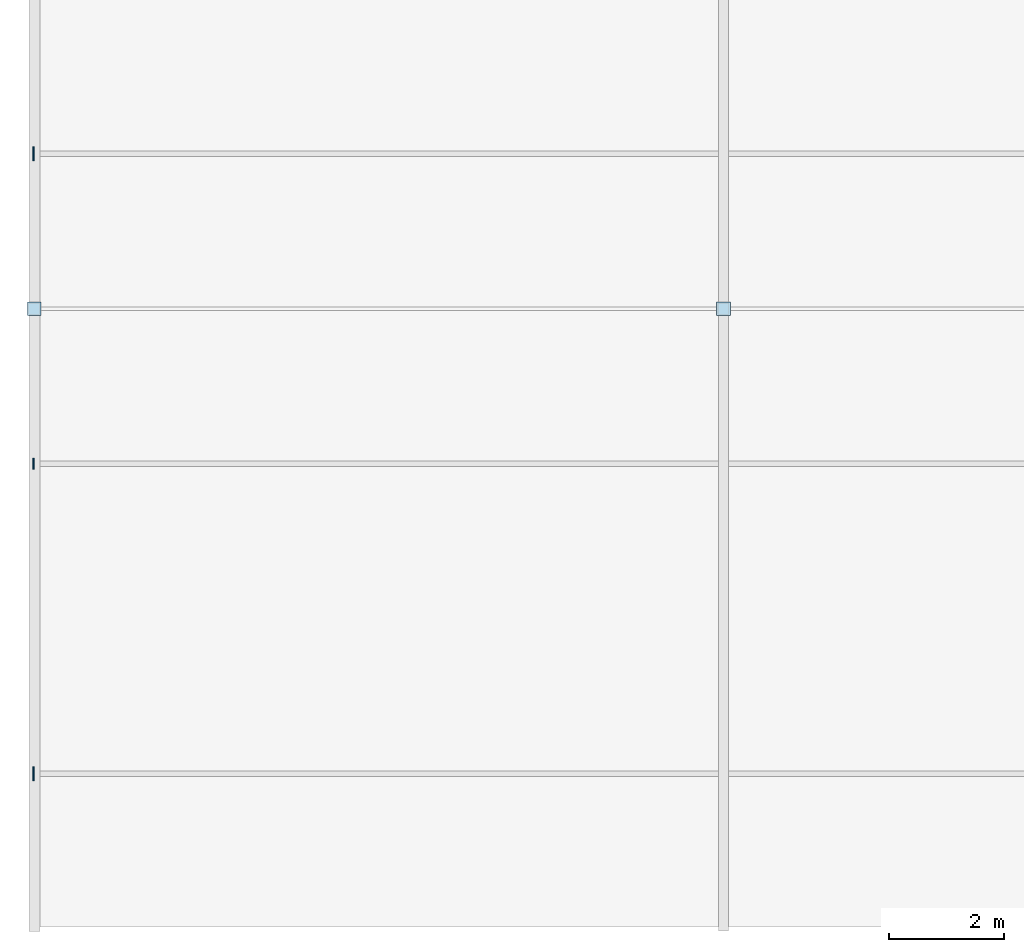
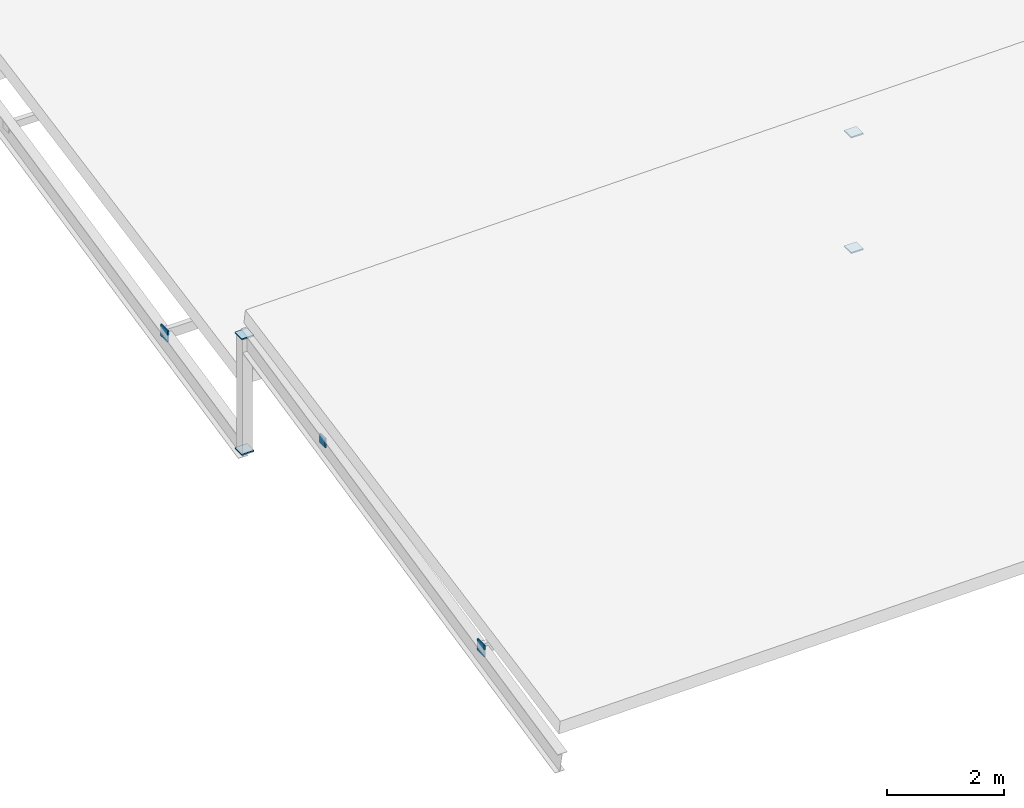
# One storey, part 153 of 226: 7 plates.
"""IFC4 building model written with IfcOpenShell, lengths in metres."""

from ifc_helpers import new_model, si_unit, direction, frame, origin, origin_2d, place, context, subcontext, project, spatial, rectangle, extrude, material, layer, layer_set, type_object, element, save


model = new_model("IFC4")

# Units and contexts
model_context = context("Model", 3, precision=1e-05, world=origin(), true_north=direction((0.0, 1.0)))
body_context = subcontext(model_context, "Body", "Model", "MODEL_VIEW")
ifc_project = project(units=[si_unit("LENGTHUNIT", "METRE"), si_unit("AREAUNIT", "SQUARE_METRE"), si_unit("VOLUMEUNIT", "CUBIC_METRE"), si_unit("PLANEANGLEUNIT", "RADIAN"), si_unit("MASSUNIT", "GRAM", prefix="KILO")], contexts=[model_context])

# Site, building, storey
site_placement = place(None, origin())
site = spatial("IfcSite", under=ifc_project, at=site_placement, CompositionType="ELEMENT")
building_placement = place(site_placement, origin())
building = spatial("IfcBuilding", under=site, at=building_placement, Name="Tarnwether General Hospital", CompositionType="ELEMENT")
storey_placement = place(building_placement, frame((0.0, 0.0, 4.800048828125)))
storey = spatial("IfcBuildingStorey", under=building, at=storey_placement, Name="L01", CompositionType="ELEMENT", Elevation=4.800048828125)

# Plates
ifc_material = material(Name="Steel Grade 350 (350 MPa)", Category="steel")
ifc_layer = layer(ifc_material, 0.02490234375)
ifc_layer_set = layer_set([ifc_layer], Name="Steel Grade 350 (350 MPa)")
plate_type = type_object("IfcPlateType", Name="PT-GUS2", PredefinedType="USERDEFINED", material=ifc_layer_set)
for number, where, z_axis, x_axis, name in (
    (1, (0.0, 10.800048828125, -0.405029296875), (0.0, 0.0, 1.0), (1.0, 0.0, 0.0), "Hollow Section Welded End Cap Plate 1393"),
    (2, (0.0, 10.800048828125, 2.0), (0.0, 0.0, 1.0), (1.0, 0.0, 0.0), "Hollow Section Welded End Cap Plate 1394"),
    (3, (12.0, 10.800048828125, -0.405029296875), (0.0, 0.0, 1.0), (1.0, 0.0, 0.0), "Hollow Section Welded End Cap Plate 1395"),
    (4, (12.0, 10.800048828125, 2.0), (0.0, 0.0, 1.0), (1.0, 0.0, 0.0), "Hollow Section Welded End Cap Plate 1396"),
):
    element("IfcPlate", number, at=place(storey_placement, frame(where, z_axis=z_axis, x_axis=x_axis)), inside=storey, type_object=plate_type, Name=name, ObjectType="GUSSET", PredefinedType="USERDEFINED", context=body_context, shape_type="SweptSolid", body=[
        extrude(rectangle(XDim=0.239990234375, YDim=0.239990234375, at=origin_2d()), origin(), (0.0, 0.0, 1.0), 0.02490234375),
    ])
plate_1_placement = place(storey_placement, frame((-0.012451171875, 2.699951171875, 0.27978515625), z_axis=(0.0, 0.0, 1.0), x_axis=(1.0, 0.0, 0.0)))
element("IfcPlate", 5, at=plate_1_placement, inside=storey, type_object=plate_type, Name="Hollow Section Welded End Cap Plate 1403", ObjectType="GUSSET", PredefinedType="USERDEFINED", context=body_context, shape_type="SweptSolid", body=[
    extrude(rectangle(XDim=0.02490234375, YDim=0.239990234375, at=origin_2d()), origin(), (0.0, 0.0, 1.0), 0.239990234375),
])
plate_2_placement = place(storey_placement, frame((-0.012451171875, 8.10009765625, 1.344970703125), z_axis=(0.0, 0.0, 1.0), x_axis=(1.0, 0.0, 0.0)))
element("IfcPlate", 6, at=plate_2_placement, inside=storey, type_object=plate_type, Name="Hollow Section Welded End Cap Plate 1405", ObjectType="GUSSET", PredefinedType="USERDEFINED", context=body_context, shape_type="SweptSolid", body=[
    extrude(rectangle(XDim=0.02490234375, YDim=0.18994140625, at=origin_2d()), origin(), (0.0, 0.0, 1.0), 0.18994140625),
])
plate_3_placement = place(storey_placement, frame((-0.012451171875, 13.5, 0.27978515625), z_axis=(0.0, 0.0, 1.0), x_axis=(1.0, 0.0, 0.0)))
element("IfcPlate", 7, at=plate_3_placement, inside=storey, type_object=plate_type, Name="Hollow Section Welded End Cap Plate 1417", ObjectType="GUSSET", PredefinedType="USERDEFINED", context=body_context, shape_type="SweptSolid", body=[
    extrude(rectangle(XDim=0.02490234375, YDim=0.239990234375, at=origin_2d()), origin(), (0.0, 0.0, 1.0), 0.239990234375),
])

save(model, "model.ifc")
